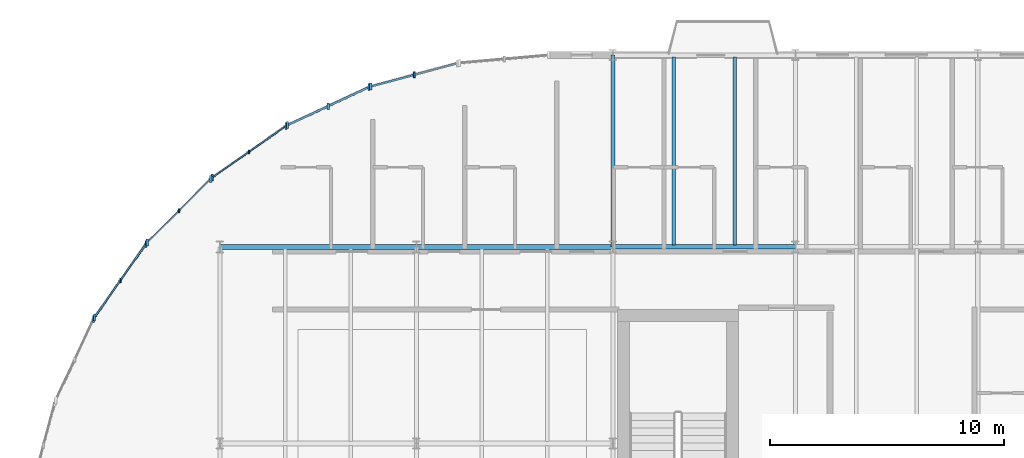
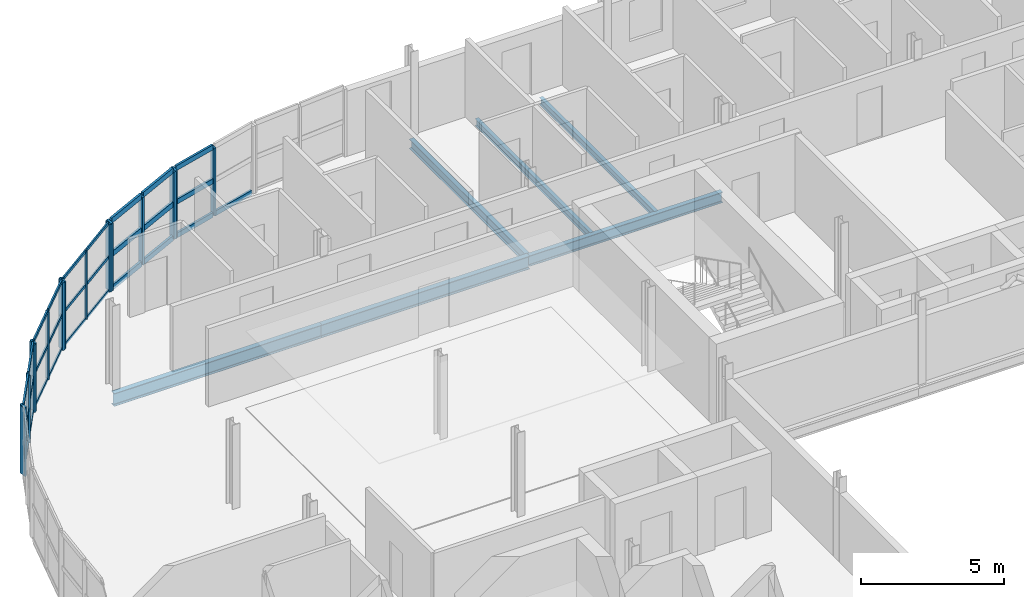
# One storey, part 11 of 36: 43 members, 6 beams, 6 elements without a shape of their own.
"""IFC4 building model written with IfcOpenShell, lengths in metres."""

import ifcopenshell
import ifcopenshell.guid

model = None  # the IFC model being written
_history = None  # IfcOwnerHistory: only IFC2X3 demands one
_inside = {}  # id of a spatial element -> (the spatial element, [elements in it])
_under = {}  # id of a project, library or spatial element -> (it, [spatial elements below it])
_declared = {}  # id of a project -> (the project, [libraries it declares])
_typed = {}  # id of a type object -> (the type object, [elements of that type])
_made_of = {}  # id of a material, layer set ... -> (it, [elements and type objects made of it])


def new_model(schema):
    """Start an empty IFC model of exactly this schema.

    Asked for "IFC4X3", IfcOpenShell would pick the latest addendum, in which some entities
    have other attributes; the version numbers below select the first issue.
    IFC2X3 requires an IfcOwnerHistory on every rooted entity: one is made here for all.
    """
    global model, _history
    if schema == "IFC4X3":
        model = ifcopenshell.file(schema_version=(4, 3, 0, 0))
    else:
        model = ifcopenshell.file(schema=schema)
    _inside.clear()
    _under.clear()
    _declared.clear()
    _typed.clear()
    _made_of.clear()
    _history = None
    if model.schema == "IFC2X3":
        org = make("IfcOrganization", Name="unknown")
        user = make(
            "IfcPersonAndOrganization",
            ThePerson=make("IfcPerson", FamilyName="unknown"),
            TheOrganization=org,
        )
        app = make(
            "IfcApplication",
            ApplicationDeveloper=org,
            Version="unknown",
            ApplicationFullName="unknown",
            ApplicationIdentifier="unknown",
        )
        _history = make(
            "IfcOwnerHistory",
            OwningUser=user,
            OwningApplication=app,
            ChangeAction="ADDED",
            CreationDate=0,
        )
    return model


def make(cls, **values):
    """One entity of the class cls with the attributes given. An attribute that is None is left unset."""
    return model.create_entity(
        cls, **{name: value for name, value in values.items() if value is not None}
    )


def rooted(cls, **values):
    """An entity with a GlobalId (a new one), such as an element, a storey or a relation."""
    return make(cls, GlobalId=ifcopenshell.guid.new(), OwnerHistory=_history, **values)


def si_unit(unit_type, name, prefix=None):
    """IfcSIUnit, for example si_unit("LENGTHUNIT", "METRE", prefix="MILLI")."""
    return make("IfcSIUnit", UnitType=unit_type, Prefix=prefix, Name=name)


def assignment(units):
    """IfcUnitAssignment: the units of a project."""
    return None if units is None else make("IfcUnitAssignment", Units=units)


def point(xyz):
    """IfcCartesianPoint."""
    return None if xyz is None else make("IfcCartesianPoint", Coordinates=xyz)


def direction(xyz):
    """IfcDirection."""
    return None if xyz is None else make("IfcDirection", DirectionRatios=xyz)


def frame(location, z_axis=None, x_axis=None):
    """IfcAxis2Placement3D, a coordinate frame: its origin and axes. An axis left out is left unset."""
    return make(
        "IfcAxis2Placement3D",
        Location=point(location),
        Axis=direction(z_axis),
        RefDirection=direction(x_axis),
    )


def frame_2d(location, x_axis=None):
    """IfcAxis2Placement2D, a coordinate frame in the plane: its origin and x axis."""
    return make(
        "IfcAxis2Placement2D", Location=point(location), RefDirection=direction(x_axis)
    )


def origin():
    """The frame at (0, 0, 0) with its axes left unset."""
    return frame((0.0, 0.0, 0.0))


def origin_2d():
    """The frame at (0, 0) in the plane with its x axis left unset."""
    return frame_2d((0.0, 0.0))


def place(relative_to, where):
    """IfcLocalPlacement: puts the frame where relative to a parent placement (None: the world)."""
    return make(
        "IfcLocalPlacement", PlacementRelTo=relative_to, RelativePlacement=where
    )


def context(
    kind, dimensions, precision=None, world=None, true_north=None, identifier=None
):
    """IfcGeometricRepresentationContext, for example the 3D "Model" context."""
    return make(
        "IfcGeometricRepresentationContext",
        ContextIdentifier=identifier,
        ContextType=kind,
        CoordinateSpaceDimension=dimensions,
        Precision=precision,
        WorldCoordinateSystem=world,
        TrueNorth=true_north,
    )


def subcontext(parent, identifier, kind, view, scale=None):
    """IfcGeometricRepresentationSubContext, for example "Body" below "Model"."""
    return make(
        "IfcGeometricRepresentationSubContext",
        ContextIdentifier=identifier,
        ContextType=kind,
        ParentContext=parent,
        TargetScale=scale,
        TargetView=view,
    )


def project(units=None, contexts=None):
    """IfcProject with its units and contexts."""
    return rooted(
        "IfcProject",
        Name="project",
        RepresentationContexts=contexts,
        UnitsInContext=assignment(units),
    )


def spatial(cls, under=None, at=None, **own):
    """A site, building, storey or space (cls), placed at a placement, below another one or the project."""
    s = rooted(cls, ObjectPlacement=at, **own)
    if under is not None:
        _under.setdefault(under.id(), (under, []))[1].append(s)
    return s


def profile(cls, at=None, kind="AREA", **sizes):
    """A parametric profile (cls). Its sizes go by their IFC names, for example OverallWidth=200.0."""
    return make(cls, ProfileType=kind, Position=at, **sizes)


def rectangle(**sizes):
    """IfcRectangleProfileDef."""
    return profile("IfcRectangleProfileDef", **sizes)


def i_section(**sizes):
    """IfcIShapeProfileDef."""
    return profile("IfcIShapeProfileDef", **sizes)


def extrude(swept, where, along, depth):
    """IfcExtrudedAreaSolid: the profile swept, set in the frame where, extruded along a direction by depth."""
    return make(
        "IfcExtrudedAreaSolid",
        SweptArea=swept,
        Position=where,
        ExtrudedDirection=direction(along),
        Depth=depth,
    )


def shape(context_of_items, identifier, shape_type, items):
    """IfcShapeRepresentation: the items that make up one representation, for example the "Body"."""
    return make(
        "IfcShapeRepresentation",
        ContextOfItems=context_of_items,
        RepresentationIdentifier=identifier,
        RepresentationType=shape_type,
        Items=items,
    )


def material(Name=None, Category=None):
    """IfcMaterial."""
    return make("IfcMaterial", Name=Name, Category=Category)


def layer(
    of_material, thickness, ventilated=None, Name=None, Category=None, Priority=None
):
    """IfcMaterialLayer: one layer of a wall or slab, of a material (None: an air gap)."""
    return make(
        "IfcMaterialLayer",
        Material=of_material,
        LayerThickness=thickness,
        IsVentilated=ventilated,
        Name=Name,
        Category=Category,
        Priority=Priority,
    )


def layer_set(layers, Name=None):
    """IfcMaterialLayerSet."""
    return make("IfcMaterialLayerSet", MaterialLayers=layers, LayerSetName=Name)


def material_profile(
    of_material, cross_section, Name=None, Category=None, Priority=None
):
    """IfcMaterialProfile: a cross section and its material."""
    return make(
        "IfcMaterialProfile",
        Name=Name,
        Material=of_material,
        Profile=cross_section,
        Priority=Priority,
        Category=Category,
    )


def profile_set(profiles, Name=None, composite=None):
    """IfcMaterialProfileSet."""
    return make(
        "IfcMaterialProfileSet",
        Name=Name,
        MaterialProfiles=profiles,
        CompositeProfile=composite,
    )


def made_of(thing, what):
    """Note that an element or type object is made of a material, layer set ...; save() writes the relation."""
    if what is not None:
        _made_of.setdefault(what.id(), (what, []))[1].append(thing)
    return thing


def type_object(cls, material=None, **own):
    """A type object (cls), such as IfcWallType, which elements share."""
    return made_of(rooted(cls, **own), material)


def element(
    cls,
    number,
    at=None,
    inside=None,
    cuts=None,
    type_object=None,
    material=None,
    context=None,
    identifier="Body",
    shape_type=None,
    held_by="IfcProductDefinitionShape",
    body=None,
    shapes=None,
    **own,
):
    """One element of the class cls, such as IfcWall. Its Tag is "e" and its number.

    at: its placement. inside: the storey or other place that contains it. cuts: it is an
    opening in that element (IfcRelVoidsElement). A single representation is given by context,
    identifier, shape_type and body (its items); several are given by shapes. held_by: the class
    of the entity that holds the representations. save() writes the other relations.
    """
    e = rooted(cls, Tag="e%d" % number, ObjectPlacement=at, **own)
    if body is not None:
        shapes = [shape(context, identifier, shape_type, body)]
    if shapes is not None:
        e.Representation = make(held_by, Representations=shapes)
    if inside is not None:
        _inside.setdefault(inside.id(), (inside, []))[1].append(e)
    if cuts is not None:
        rooted(
            "IfcRelVoidsElement", RelatingBuildingElement=cuts, RelatedOpeningElement=e
        )
    if type_object is not None:
        _typed.setdefault(type_object.id(), (type_object, []))[1].append(e)
    return made_of(e, material)


def aggregate(whole, parts):
    """IfcRelAggregates: a whole, such as a stair, and the parts it consists of."""
    return rooted("IfcRelAggregates", RelatingObject=whole, RelatedObjects=parts)


def save(model, path):
    """Write the relations noted so far, then the file.

    IfcRelAggregates (storeys below a building ...), IfcRelContainedInSpatialStructure (elements
    in a storey), IfcRelDefinesByType, IfcRelAssociatesMaterial and IfcRelDeclares: one each for
    every whole, place, type object, material and project.
    """
    for whole, parts in _under.values():
        aggregate(whole, parts)
    for where, things in _inside.values():
        rooted(
            "IfcRelContainedInSpatialStructure",
            RelatedElements=things,
            RelatingStructure=where,
        )
    for kind, things in _typed.values():
        rooted("IfcRelDefinesByType", RelatedObjects=things, RelatingType=kind)
    for what, things in _made_of.values():
        rooted("IfcRelAssociatesMaterial", RelatedObjects=things, RelatingMaterial=what)
    for by, libraries in _declared.values():
        rooted("IfcRelDeclares", RelatingContext=by, RelatedDefinitions=libraries)
    model.write(path)


model = new_model("IFC4")

# Units and contexts
model_context = context("Model", 3, precision=1e-05, world=origin(), true_north=direction((0.0, 1.0)))
body_context = subcontext(model_context, "Body", "Model", "MODEL_VIEW")
ifc_project = project(units=[si_unit("LENGTHUNIT", "METRE"), si_unit("AREAUNIT", "SQUARE_METRE"), si_unit("VOLUMEUNIT", "CUBIC_METRE"), si_unit("PLANEANGLEUNIT", "RADIAN"), si_unit("MASSUNIT", "GRAM", prefix="KILO")], contexts=[model_context])

# Site, building, storey
site_placement = place(None, origin())
site = spatial("IfcSite", under=ifc_project, at=site_placement, CompositionType="ELEMENT")
building_placement = place(site_placement, origin())
building = spatial("IfcBuilding", under=site, at=building_placement, Name="Sefraquen Railside Congress Hotel", CompositionType="ELEMENT")
storey_placement = place(building_placement, frame((0.0, 0.0, 24.60009765625)))
storey = spatial("IfcBuildingStorey", under=building, at=storey_placement, Name="L05", CompositionType="ELEMENT", Elevation=24.60009765625)

# Beams
ifc_material_1 = material(Name="Steel S355JR", Category="steel")
ifc_material_profile_1 = material_profile(ifc_material_1, i_section(OverallWidth=0.179931640625, OverallDepth=0.39990234375, WebThickness=0.008544921875, FlangeThickness=0.013427734375, FilletRadius=0.02099609375, at=origin_2d()), Name="IPE 400")
ifc_profile_set_1 = profile_set([ifc_material_profile_1], Name="Steel S355JR")
beam_type_1 = type_object("IfcBeamType", Name="TB-BM-400I", PredefinedType="BEAM", material=ifc_profile_set_1)
beam_1_placement = place(storey_placement, frame((25.199951171875, 109.800048828125, -0.460205078125), z_axis=(0.0, 1.0, 0.0), x_axis=(-1.0, 0.0, 0.0)))
element("IfcBeam", 1, at=beam_1_placement, inside=storey, type_object=beam_type_1, Name="Floor beam BM-L05-1525", PredefinedType="BEAM", context=body_context, shape_type="SweptSolid", body=[
    extrude(i_section(OverallWidth=0.179931640625, OverallDepth=0.39990234375, WebThickness=0.008544921875, FlangeThickness=0.013427734375, FilletRadius=0.02099609375, at=origin_2d()), origin(), (0.0, 0.0, 1.0), 8.199951171875),
])
ifc_material_profile_2 = material_profile(ifc_material_1, i_section(OverallWidth=0.18994140625, OverallDepth=0.449951171875, WebThickness=0.009521484375, FlangeThickness=0.0146484375, FilletRadius=0.02099609375, at=origin_2d()), Name="IPE 450")
ifc_profile_set_2 = profile_set([ifc_material_profile_2], Name="Steel S355JR")
beam_type_2 = type_object("IfcBeamType", Name="TB-BM-450", PredefinedType="BEAM", material=ifc_profile_set_2)
beam_2_placement = place(storey_placement, frame((25.199951171875, 109.800048828125, -0.485107421875), z_axis=(1.0, 0.0, 0.0), x_axis=(0.0, 1.0, 0.0)))
element("IfcBeam", 2, at=beam_2_placement, inside=storey, type_object=beam_type_2, Name="Primary girder BM-L05-1480", PredefinedType="BEAM", context=body_context, shape_type="SweptSolid", body=[
    extrude(i_section(OverallWidth=0.18994140625, OverallDepth=0.449951171875, WebThickness=0.009521484375, FlangeThickness=0.0146484375, FilletRadius=0.02099609375, at=origin_2d()), origin(), (0.0, 0.0, 1.0), 7.800048828125),
])
ifc_material_profile_3 = material_profile(ifc_material_1, i_section(OverallWidth=0.2099609375, OverallDepth=0.550048828125, WebThickness=0.010986328125, FlangeThickness=0.01708984375, FilletRadius=0.02392578125, at=origin_2d()), Name="IPE 550")
ifc_profile_set_3 = profile_set([ifc_material_profile_3], Name="Steel S355JR")
beam_type_3 = type_object("IfcBeamType", Name="TB-GIR-550", PredefinedType="T_BEAM", material=ifc_profile_set_3)
beam_3_placement = place(storey_placement, frame((8.39990234375, 109.800048828125, -0.53515625), z_axis=(1.0, 0.0, 0.0), x_axis=(0.0, 1.0, 0.0)))
element("IfcBeam", 3, at=beam_3_placement, inside=storey, type_object=beam_type_3, Name="Primary girder BM-L05-1478", PredefinedType="T_BEAM", context=body_context, shape_type="SweptSolid", body=[
    extrude(i_section(OverallWidth=0.2099609375, OverallDepth=0.550048828125, WebThickness=0.010986328125, FlangeThickness=0.01708984375, FilletRadius=0.02392578125, at=origin_2d()), origin(), (0.0, 0.0, 1.0), 8.400146484375),
])
beam_4_placement = place(storey_placement, frame((16.800048828125, 109.800048828125, -0.53515625), z_axis=(1.0, 0.0, 0.0), x_axis=(0.0, 1.0, 0.0)))
element("IfcBeam", 4, at=beam_4_placement, inside=storey, type_object=beam_type_3, Name="Primary girder BM-L05-1479", PredefinedType="T_BEAM", context=body_context, shape_type="SweptSolid", body=[
    extrude(i_section(OverallWidth=0.2099609375, OverallDepth=0.550048828125, WebThickness=0.010986328125, FlangeThickness=0.01708984375, FilletRadius=0.02392578125, at=origin_2d()), origin(), (0.0, 0.0, 1.0), 8.39990234375),
])
ifc_material_profile_4 = material_profile(ifc_material_1, i_section(OverallWidth=0.14990234375, OverallDepth=0.300048828125, WebThickness=0.007080078125, FlangeThickness=0.0107421875, FilletRadius=0.014892578125, at=origin_2d()), Name="IPE 300")
ifc_profile_set_4 = profile_set([ifc_material_profile_4], Name="Steel S355JR")
beam_type_4 = type_object("IfcBeamType", Name="TB-JST-300", PredefinedType="JOIST", material=ifc_profile_set_4)
for number, where, z_axis, x_axis, name in (
    (5, (27.800048828125, 109.875, -0.41015625), (0.0, 1.0, 0.0), (-1.0, 0.0, 0.0), "Composite floor joist BM-L05-J0964"),
    (6, (30.39990234375, 109.875, -0.41015625), (0.0, 1.0, 0.0), (-1.0, 0.0, 0.0), "Composite floor joist BM-L05-J0965"),
):
    element("IfcBeam", number, at=place(storey_placement, frame(where, z_axis=z_axis, x_axis=x_axis)), inside=storey, type_object=beam_type_4, Name=name, PredefinedType="JOIST", context=body_context, shape_type="SweptSolid", body=[
        extrude(i_section(OverallWidth=0.14990234375, OverallDepth=0.300048828125, WebThickness=0.007080078125, FlangeThickness=0.0107421875, FilletRadius=0.014892578125, at=origin_2d()), origin(), (0.0, 0.0, 1.0), 8.050048828125),
    ])

# Curtain wall, member
ifc_material_2 = material(Name="Thermally broken anodised aluminium and low-E double glazing", Category="aluminium")
ifc_layer_1 = layer(ifc_material_2, 0.199951171875)
ifc_layer_set_1 = layer_set([ifc_layer_1], Name="Thermally broken anodised aluminium and low-E double glazing")
curtain_wall_type_1 = type_object("IfcCurtainWallType", Name="TCW-UCW-17", PredefinedType="USERDEFINED", material=ifc_layer_set_1)
curtain_wall_1_placement = place(storey_placement, origin())
curtain_wall_1 = element("IfcCurtainWall", 7, at=curtain_wall_1_placement, inside=storey, type_object=curtain_wall_type_1, Name="Rotunda L05 curved curtain wall facet 4", ObjectType="UNITISED CURTAIN WALL", PredefinedType="USERDEFINED")
ifc_material_3 = material(Name="Thermally broken anodised aluminium 6063-T6", Category="aluminium")
ifc_material_profile_5 = material_profile(ifc_material_3, rectangle(XDim=0.06005859375, YDim=0.159912109375, at=origin_2d()), Name="CWM 60x160")
ifc_profile_set_5 = profile_set([ifc_material_profile_5], Name="Thermally broken anodised aluminium 6063-T6")
member_type_1 = type_object("IfcMemberType", Name="TM-CWM-01", PredefinedType="MULLION", material=ifc_profile_set_5)
member_1_placement = place(storey_placement, frame((9.643798828125, 113.86083984375, 0.0), z_axis=(0.0, 0.0, 1.0), x_axis=(1.0, 0.0, 0.0)))
member_1 = element("IfcMember", 8, at=member_1_placement, type_object=member_type_1, Name="CW-L05-ROT-04 mullion 2", PredefinedType="MULLION", context=body_context, shape_type="SweptSolid", body=[
    extrude(rectangle(XDim=0.06005859375, YDim=0.159912109375, at=origin_2d()), origin(), (0.0, 0.0, 1.0), 2.889892578125),
])

ifc_layer_2 = layer(ifc_material_2, 0.199951171875)
ifc_layer_set_2 = layer_set([ifc_layer_2], Name="Thermally broken anodised aluminium and low-E double glazing")
curtain_wall_type_2 = type_object("IfcCurtainWallType", Name="TCW-UCW-18", PredefinedType="USERDEFINED", material=ifc_layer_set_2)
curtain_wall_2_placement = place(storey_placement, origin())
curtain_wall_2 = element("IfcCurtainWall", 9, at=curtain_wall_2_placement, inside=storey, type_object=curtain_wall_type_2, Name="Rotunda L05 curved curtain wall facet 5", ObjectType="UNITISED CURTAIN WALL", PredefinedType="USERDEFINED")
ifc_material_profile_6 = material_profile(ifc_material_3, rectangle(XDim=0.06494140625, YDim=0.179931640625, at=origin_2d()), Name="CWM 65x180")
ifc_profile_set_6 = profile_set([ifc_material_profile_6], Name="Thermally broken anodised aluminium 6063-T6")
member_type_2 = type_object("IfcMemberType", Name="TM-CWM-02", PredefinedType="MULLION", material=ifc_profile_set_6)
member_2_placement = place(storey_placement, frame((6.650634765625, 111.349365234375, 0.0), z_axis=(0.0, 0.0, 1.0), x_axis=(1.0, 0.0, 0.0)))
member_2 = element("IfcMember", 10, at=member_2_placement, type_object=member_type_2, Name="CW-L05-ROT-05 mullion 2", PredefinedType="MULLION", context=body_context, shape_type="SweptSolid", body=[
    extrude(rectangle(XDim=0.06494140625, YDim=0.179931640625, at=origin_2d()), origin(), (0.0, 0.0, 1.0), 2.889892578125),
])

ifc_layer_3 = layer(ifc_material_2, 0.199951171875)
ifc_layer_set_3 = layer_set([ifc_layer_3], Name="Thermally broken anodised aluminium and low-E double glazing")
curtain_wall_type_3 = type_object("IfcCurtainWallType", Name="TCW-UCW-19", PredefinedType="USERDEFINED", material=ifc_layer_set_3)
curtain_wall_3_placement = place(storey_placement, origin())
curtain_wall_3 = element("IfcCurtainWall", 11, at=curtain_wall_3_placement, inside=storey, type_object=curtain_wall_type_3, Name="Rotunda L05 curved curtain wall facet 6", ObjectType="UNITISED CURTAIN WALL", PredefinedType="USERDEFINED")
ifc_material_profile_7 = material_profile(ifc_material_3, rectangle(XDim=0.070068359375, YDim=0.199951171875, at=origin_2d()), Name="CWM 70x200")
ifc_profile_set_7 = profile_set([ifc_material_profile_7], Name="Thermally broken anodised aluminium 6063-T6")
member_type_3 = type_object("IfcMemberType", Name="TM-CWM-03", PredefinedType="MULLION", material=ifc_profile_set_7)
member_3_placement = place(storey_placement, frame((4.13916015625, 108.356201171875, 0.0), z_axis=(0.0, 0.0, 1.0), x_axis=(1.0, 0.0, 0.0)))
member_3 = element("IfcMember", 12, at=member_3_placement, type_object=member_type_3, Name="CW-L05-ROT-06 mullion 2", PredefinedType="MULLION", context=body_context, shape_type="SweptSolid", body=[
    extrude(rectangle(XDim=0.070068359375, YDim=0.199951171875, at=origin_2d()), origin(), (0.0, 0.0, 1.0), 2.889892578125),
])

ifc_layer_4 = layer(ifc_material_2, 0.199951171875)
ifc_layer_set_4 = layer_set([ifc_layer_4], Name="Thermally broken anodised aluminium and low-E double glazing")
curtain_wall_type_4 = type_object("IfcCurtainWallType", Name="TCW-UCW-15", PredefinedType="USERDEFINED", material=ifc_layer_set_4)
curtain_wall_4_placement = place(storey_placement, origin())
curtain_wall_4 = element("IfcCurtainWall", 13, at=curtain_wall_4_placement, inside=storey, type_object=curtain_wall_type_4, Name="Rotunda L05 curved curtain wall facet 2", ObjectType="UNITISED CURTAIN WALL", PredefinedType="USERDEFINED")
ifc_material_profile_8 = material_profile(ifc_material_3, rectangle(XDim=0.0849609375, YDim=0.260009765625, at=origin_2d()), Name="CWM 85x260")
ifc_profile_set_8 = profile_set([ifc_material_profile_8], Name="Thermally broken anodised aluminium 6063-T6")
member_type_4 = type_object("IfcMemberType", Name="TM-CWM-06", PredefinedType="MULLION", material=ifc_profile_set_8)
member_4_placement = place(storey_placement, frame((16.69873046875, 117.150634765625, 0.0), z_axis=(0.0, 0.0, 1.0), x_axis=(1.0, 0.0, 0.0)))
member_4 = element("IfcMember", 14, at=member_4_placement, type_object=member_type_4, Name="CW-L05-ROT-02 mullion 2", PredefinedType="MULLION", context=body_context, shape_type="SweptSolid", body=[
    extrude(rectangle(XDim=0.0849609375, YDim=0.260009765625, at=origin_2d()), origin(), (0.0, 0.0, 1.0), 2.889892578125),
])

ifc_layer_5 = layer(ifc_material_2, 0.199951171875)
ifc_layer_set_5 = layer_set([ifc_layer_5], Name="Thermally broken anodised aluminium and low-E double glazing")
curtain_wall_type_5 = type_object("IfcCurtainWallType", Name="TCW-UCW-16", PredefinedType="USERDEFINED", material=ifc_layer_set_5)
curtain_wall_5_placement = place(storey_placement, origin())
curtain_wall_5 = element("IfcCurtainWall", 15, at=curtain_wall_5_placement, inside=storey, type_object=curtain_wall_type_5, Name="Rotunda L05 curved curtain wall facet 3", ObjectType="UNITISED CURTAIN WALL", PredefinedType="USERDEFINED")
ifc_material_profile_9 = material_profile(ifc_material_3, rectangle(XDim=0.090087890625, YDim=0.280029296875, at=origin_2d()), Name="CWM 90x280")
ifc_profile_set_9 = profile_set([ifc_material_profile_9], Name="Thermally broken anodised aluminium 6063-T6")
member_type_5 = type_object("IfcMemberType", Name="TM-CWM-07", PredefinedType="MULLION", material=ifc_profile_set_9)
member_5_placement = place(storey_placement, frame((13.02734375, 115.814208984375, 0.0), z_axis=(0.0, 0.0, 1.0), x_axis=(1.0, 0.0, 0.0)))
member_5 = element("IfcMember", 16, at=member_5_placement, type_object=member_type_5, Name="CW-L05-ROT-03 mullion 2", PredefinedType="MULLION", context=body_context, shape_type="SweptSolid", body=[
    extrude(rectangle(XDim=0.090087890625, YDim=0.280029296875, at=origin_2d()), origin(), (0.0, 0.0, 1.0), 2.889892578125),
])

# Member
ifc_material_profile_10 = material_profile(ifc_material_3, rectangle(XDim=0.094970703125, YDim=0.300048828125, at=origin_2d()), Name="CWM 95x300")
ifc_profile_set_10 = profile_set([ifc_material_profile_10], Name="Thermally broken anodised aluminium 6063-T6")
member_type_6 = type_object("IfcMemberType", Name="TM-CWM-08", PredefinedType="MULLION", material=ifc_profile_set_10)
member_6_placement = place(storey_placement, frame((14.843017578125, 116.653564453125, 0.0), z_axis=(0.0, 0.0, 1.0), x_axis=(1.0, 0.0, 0.0)))
member_6 = element("IfcMember", 17, at=member_6_placement, type_object=member_type_6, Name="CW-L05-ROT-02 mullion 3", PredefinedType="MULLION", context=body_context, shape_type="SweptSolid", body=[
    extrude(rectangle(XDim=0.094970703125, YDim=0.300048828125, at=origin_2d()), origin(), (0.0, 0.0, 1.0), 2.889892578125),
])

member_7_placement = place(storey_placement, frame((14.768310546875, 116.626220703125, 0.0), z_axis=(0.0, 0.0, 1.0), x_axis=(1.0, 0.0, 0.0)))
member_7 = element("IfcMember", 18, at=member_7_placement, type_object=member_type_6, Name="CW-L05-ROT-03 mullion 1", PredefinedType="MULLION", context=body_context, shape_type="SweptSolid", body=[
    extrude(rectangle(XDim=0.094970703125, YDim=0.300048828125, at=origin_2d()), origin(), (0.0, 0.0, 1.0), 2.889892578125),
])

member_8_placement = place(storey_placement, frame((11.286376953125, 115.00244140625, 0.0), z_axis=(0.0, 0.0, 1.0), x_axis=(1.0, 0.0, 0.0)))
member_8 = element("IfcMember", 19, at=member_8_placement, type_object=member_type_6, Name="CW-L05-ROT-03 mullion 3", PredefinedType="MULLION", context=body_context, shape_type="SweptSolid", body=[
    extrude(rectangle(XDim=0.094970703125, YDim=0.300048828125, at=origin_2d()), origin(), (0.0, 0.0, 1.0), 2.889892578125),
])

member_9_placement = place(storey_placement, frame((11.21728515625, 114.962646484375, 0.0), z_axis=(0.0, 0.0, 1.0), x_axis=(1.0, 0.0, 0.0)))
member_9 = element("IfcMember", 20, at=member_9_placement, type_object=member_type_6, Name="CW-L05-ROT-04 mullion 1", PredefinedType="MULLION", context=body_context, shape_type="SweptSolid", body=[
    extrude(rectangle(XDim=0.094970703125, YDim=0.300048828125, at=origin_2d()), origin(), (0.0, 0.0, 1.0), 2.889892578125),
])

member_10_placement = place(storey_placement, frame((8.070068359375, 112.7587890625, 0.0), z_axis=(0.0, 0.0, 1.0), x_axis=(1.0, 0.0, 0.0)))
member_10 = element("IfcMember", 21, at=member_10_placement, type_object=member_type_6, Name="CW-L05-ROT-04 mullion 3", PredefinedType="MULLION", context=body_context, shape_type="SweptSolid", body=[
    extrude(rectangle(XDim=0.094970703125, YDim=0.300048828125, at=origin_2d()), origin(), (0.0, 0.0, 1.0), 2.889892578125),
])

member_11_placement = place(storey_placement, frame((8.009033203125, 112.707763671875, 0.0), z_axis=(0.0, 0.0, 1.0), x_axis=(1.0, 0.0, 0.0)))
member_11 = element("IfcMember", 22, at=member_11_placement, type_object=member_type_6, Name="CW-L05-ROT-05 mullion 1", PredefinedType="MULLION", context=body_context, shape_type="SweptSolid", body=[
    extrude(rectangle(XDim=0.094970703125, YDim=0.300048828125, at=origin_2d()), origin(), (0.0, 0.0, 1.0), 2.889892578125),
])

member_12_placement = place(storey_placement, frame((5.292236328125, 109.990966796875, 0.0), z_axis=(0.0, 0.0, 1.0), x_axis=(1.0, 0.0, 0.0)))
member_12 = element("IfcMember", 23, at=member_12_placement, type_object=member_type_6, Name="CW-L05-ROT-05 mullion 3", PredefinedType="MULLION", context=body_context, shape_type="SweptSolid", body=[
    extrude(rectangle(XDim=0.094970703125, YDim=0.300048828125, at=origin_2d()), origin(), (0.0, 0.0, 1.0), 2.889892578125),
])

member_13_placement = place(storey_placement, frame((5.2412109375, 109.929931640625, 0.0), z_axis=(0.0, 0.0, 1.0), x_axis=(1.0, 0.0, 0.0)))
member_13 = element("IfcMember", 24, at=member_13_placement, type_object=member_type_6, Name="CW-L05-ROT-06 mullion 1", PredefinedType="MULLION", context=body_context, shape_type="SweptSolid", body=[
    extrude(rectangle(XDim=0.094970703125, YDim=0.300048828125, at=origin_2d()), origin(), (0.0, 0.0, 1.0), 2.889892578125),
])

member_14_placement = place(storey_placement, frame((3.037353515625, 106.78271484375, 0.0), z_axis=(0.0, 0.0, 1.0), x_axis=(1.0, 0.0, 0.0)))
member_14 = element("IfcMember", 25, at=member_14_placement, type_object=member_type_6, Name="CW-L05-ROT-06 mullion 3", PredefinedType="MULLION", context=body_context, shape_type="SweptSolid", body=[
    extrude(rectangle(XDim=0.094970703125, YDim=0.300048828125, at=origin_2d()), origin(), (0.0, 0.0, 1.0), 2.889892578125),
])

# Curtain wall, member
ifc_layer_6 = layer(ifc_material_2, 0.199951171875)
ifc_layer_set_6 = layer_set([ifc_layer_6], Name="Thermally broken anodised aluminium and low-E double glazing")
curtain_wall_type_6 = type_object("IfcCurtainWallType", Name="TCW-UCW-20", PredefinedType="USERDEFINED", material=ifc_layer_set_6)
curtain_wall_6_placement = place(storey_placement, origin())
curtain_wall_6 = element("IfcCurtainWall", 26, at=curtain_wall_6_placement, inside=storey, type_object=curtain_wall_type_6, Name="Rotunda L05 curved curtain wall facet 7", ObjectType="UNITISED CURTAIN WALL", PredefinedType="USERDEFINED")
member_15_placement = place(storey_placement, frame((2.99755859375, 106.713623046875, 0.0), z_axis=(0.0, 0.0, 1.0), x_axis=(1.0, 0.0, 0.0)))
member_15 = element("IfcMember", 27, at=member_15_placement, type_object=member_type_6, Name="CW-L05-ROT-07 mullion 1", PredefinedType="MULLION", context=body_context, shape_type="SweptSolid", body=[
    extrude(rectangle(XDim=0.094970703125, YDim=0.300048828125, at=origin_2d()), origin(), (0.0, 0.0, 1.0), 2.889892578125),
])
aggregate(curtain_wall_6, [member_15])

# Member
ifc_material_profile_11 = material_profile(ifc_material_3, rectangle(XDim=0.06005859375, YDim=0.1201171875, at=origin_2d()), Name="CWT 60x120")
ifc_profile_set_11 = profile_set([ifc_material_profile_11], Name="Thermally broken anodised aluminium 6063-T6")
member_type_7 = type_object("IfcMemberType", Name="TM-CWT-01", PredefinedType="USERDEFINED", material=ifc_profile_set_11)
member_16_placement = place(storey_placement, frame((11.180419921875, 114.93701171875, 0.0), z_axis=(-0.819156749665, -0.573569716318, 0.0), x_axis=(0.573569716318, -0.819156749665, 0.0)))
member_16 = element("IfcMember", 28, at=member_16_placement, type_object=member_type_7, Name="CW-L05-ROT-04 transom 1.1", ObjectType="TRANSOM", PredefinedType="USERDEFINED", context=body_context, shape_type="SweptSolid", body=[
    extrude(rectangle(XDim=0.06005859375, YDim=0.1201171875, at=origin_2d()), origin(), (0.0, 0.0, 1.0), 1.8310546875),
])

member_17_placement = place(storey_placement, frame((9.606689453125, 113.8349609375, 0.0), z_axis=(-0.819175533227, -0.573542889209, 0.0), x_axis=(0.573542889209, -0.819175533227, 0.0)))
member_17 = element("IfcMember", 29, at=member_17_placement, type_object=member_type_7, Name="CW-L05-ROT-04 transom 1.2", ObjectType="TRANSOM", PredefinedType="USERDEFINED", context=body_context, shape_type="SweptSolid", body=[
    extrude(rectangle(XDim=0.06005859375, YDim=0.1201171875, at=origin_2d()), origin(), (0.0, 0.0, 1.0), 1.830810546875),
])

member_18_placement = place(storey_placement, frame((11.180419921875, 114.93701171875, 1.44482421875), z_axis=(-0.819156749665, -0.573569716318, 0.0), x_axis=(0.573569716318, -0.819156749665, 0.0)))
member_18 = element("IfcMember", 30, at=member_18_placement, type_object=member_type_7, Name="CW-L05-ROT-04 transom 2.1", ObjectType="TRANSOM", PredefinedType="USERDEFINED", context=body_context, shape_type="SweptSolid", body=[
    extrude(rectangle(XDim=0.06005859375, YDim=0.1201171875, at=origin_2d()), origin(), (0.0, 0.0, 1.0), 1.8310546875),
])

member_19_placement = place(storey_placement, frame((9.606689453125, 113.8349609375, 1.44482421875), z_axis=(-0.819175533227, -0.573542889209, 0.0), x_axis=(0.573542889209, -0.819175533227, 0.0)))
member_19 = element("IfcMember", 31, at=member_19_placement, type_object=member_type_7, Name="CW-L05-ROT-04 transom 2.2", ObjectType="TRANSOM", PredefinedType="USERDEFINED", context=body_context, shape_type="SweptSolid", body=[
    extrude(rectangle(XDim=0.06005859375, YDim=0.1201171875, at=origin_2d()), origin(), (0.0, 0.0, 1.0), 1.830810546875),
])

member_20_placement = place(storey_placement, frame((11.180419921875, 114.93701171875, 2.889892578125), z_axis=(-0.819156749665, -0.573569716318, 0.0), x_axis=(0.573569716318, -0.819156749665, 0.0)))
member_20 = element("IfcMember", 32, at=member_20_placement, type_object=member_type_7, Name="CW-L05-ROT-04 transom 3.1", ObjectType="TRANSOM", PredefinedType="USERDEFINED", context=body_context, shape_type="SweptSolid", body=[
    extrude(rectangle(XDim=0.06005859375, YDim=0.1201171875, at=origin_2d()), origin(), (0.0, 0.0, 1.0), 1.8310546875),
])

member_21_placement = place(storey_placement, frame((9.606689453125, 113.8349609375, 2.889892578125), z_axis=(-0.819175533227, -0.573542889209, 0.0), x_axis=(0.573542889209, -0.819175533227, 0.0)))
member_21 = element("IfcMember", 33, at=member_21_placement, type_object=member_type_7, Name="CW-L05-ROT-04 transom 3.2", ObjectType="TRANSOM", PredefinedType="USERDEFINED", context=body_context, shape_type="SweptSolid", body=[
    extrude(rectangle(XDim=0.06005859375, YDim=0.1201171875, at=origin_2d()), origin(), (0.0, 0.0, 1.0), 1.830810546875),
])

aggregate(curtain_wall_1, [member_9, member_1, member_10, member_16, member_17, member_18, member_19, member_20, member_21])

ifc_material_profile_12 = material_profile(ifc_material_3, rectangle(XDim=0.06494140625, YDim=0.135009765625, at=origin_2d()), Name="CWT 65x135")
ifc_profile_set_12 = profile_set([ifc_material_profile_12], Name="Thermally broken anodised aluminium 6063-T6")
member_type_8 = type_object("IfcMemberType", Name="TM-CWT-02", PredefinedType="USERDEFINED", material=ifc_profile_set_12)
member_22_placement = place(storey_placement, frame((7.977294921875, 112.67578125, 0.0), z_axis=(-0.707106781187, -0.707106781187, 0.0), x_axis=(0.707106781187, -0.707106781187, 0.0)))
member_22 = element("IfcMember", 34, at=member_22_placement, type_object=member_type_8, Name="CW-L05-ROT-05 transom 1.1", ObjectType="TRANSOM", PredefinedType="USERDEFINED", context=body_context, shape_type="SweptSolid", body=[
    extrude(rectangle(XDim=0.06494140625, YDim=0.135009765625, at=origin_2d()), origin(), (0.0, 0.0, 1.0), 1.8310546875),
])

member_23_placement = place(storey_placement, frame((6.618896484375, 111.3173828125, 0.0), z_axis=(-0.707106781187, -0.707106781187, 0.0), x_axis=(0.707106781187, -0.707106781187, 0.0)))
member_23 = element("IfcMember", 35, at=member_23_placement, type_object=member_type_8, Name="CW-L05-ROT-05 transom 1.2", ObjectType="TRANSOM", PredefinedType="USERDEFINED", context=body_context, shape_type="SweptSolid", body=[
    extrude(rectangle(XDim=0.06494140625, YDim=0.135009765625, at=origin_2d()), origin(), (0.0, 0.0, 1.0), 1.8310546875),
])

member_24_placement = place(storey_placement, frame((7.977294921875, 112.67578125, 1.44482421875), z_axis=(-0.707106781187, -0.707106781187, 0.0), x_axis=(0.707106781187, -0.707106781187, 0.0)))
member_24 = element("IfcMember", 36, at=member_24_placement, type_object=member_type_8, Name="CW-L05-ROT-05 transom 2.1", ObjectType="TRANSOM", PredefinedType="USERDEFINED", context=body_context, shape_type="SweptSolid", body=[
    extrude(rectangle(XDim=0.06494140625, YDim=0.135009765625, at=origin_2d()), origin(), (0.0, 0.0, 1.0), 1.8310546875),
])

member_25_placement = place(storey_placement, frame((6.618896484375, 111.3173828125, 1.44482421875), z_axis=(-0.707106781187, -0.707106781187, 0.0), x_axis=(0.707106781187, -0.707106781187, 0.0)))
member_25 = element("IfcMember", 37, at=member_25_placement, type_object=member_type_8, Name="CW-L05-ROT-05 transom 2.2", ObjectType="TRANSOM", PredefinedType="USERDEFINED", context=body_context, shape_type="SweptSolid", body=[
    extrude(rectangle(XDim=0.06494140625, YDim=0.135009765625, at=origin_2d()), origin(), (0.0, 0.0, 1.0), 1.8310546875),
])

member_26_placement = place(storey_placement, frame((7.977294921875, 112.67578125, 2.889892578125), z_axis=(-0.707106781187, -0.707106781187, 0.0), x_axis=(0.707106781187, -0.707106781187, 0.0)))
member_26 = element("IfcMember", 38, at=member_26_placement, type_object=member_type_8, Name="CW-L05-ROT-05 transom 3.1", ObjectType="TRANSOM", PredefinedType="USERDEFINED", context=body_context, shape_type="SweptSolid", body=[
    extrude(rectangle(XDim=0.06494140625, YDim=0.135009765625, at=origin_2d()), origin(), (0.0, 0.0, 1.0), 1.8310546875),
])

member_27_placement = place(storey_placement, frame((6.618896484375, 111.3173828125, 2.889892578125), z_axis=(-0.707106781187, -0.707106781187, 0.0), x_axis=(0.707106781187, -0.707106781187, 0.0)))
member_27 = element("IfcMember", 39, at=member_27_placement, type_object=member_type_8, Name="CW-L05-ROT-05 transom 3.2", ObjectType="TRANSOM", PredefinedType="USERDEFINED", context=body_context, shape_type="SweptSolid", body=[
    extrude(rectangle(XDim=0.06494140625, YDim=0.135009765625, at=origin_2d()), origin(), (0.0, 0.0, 1.0), 1.8310546875),
])

aggregate(curtain_wall_2, [member_11, member_2, member_12, member_22, member_23, member_24, member_25, member_26, member_27])

ifc_material_profile_13 = material_profile(ifc_material_3, rectangle(XDim=0.070068359375, YDim=0.14990234375, at=origin_2d()), Name="CWT 70x150")
ifc_profile_set_13 = profile_set([ifc_material_profile_13], Name="Thermally broken anodised aluminium 6063-T6")
member_type_9 = type_object("IfcMemberType", Name="TM-CWT-03", PredefinedType="USERDEFINED", material=ifc_profile_set_13)
member_28_placement = place(storey_placement, frame((5.21533203125, 109.89306640625, 0.0), z_axis=(-0.573632363976, -0.819112880499, 0.0), x_axis=(0.819112880499, -0.573632363976, 0.0)))
member_28 = element("IfcMember", 40, at=member_28_placement, type_object=member_type_9, Name="CW-L05-ROT-06 transom 1.1", ObjectType="TRANSOM", PredefinedType="USERDEFINED", context=body_context, shape_type="SweptSolid", body=[
    extrude(rectangle(XDim=0.070068359375, YDim=0.14990234375, at=origin_2d()), origin(), (0.0, 0.0, 1.0), 1.8310546875),
])

member_29_placement = place(storey_placement, frame((4.11328125, 108.319580078125, 0.0), z_axis=(-0.573480241742, -0.819219392063, 0.0), x_axis=(0.819219392063, -0.573480241742, 0.0)))
member_29 = element("IfcMember", 41, at=member_29_placement, type_object=member_type_9, Name="CW-L05-ROT-06 transom 1.2", ObjectType="TRANSOM", PredefinedType="USERDEFINED", context=body_context, shape_type="SweptSolid", body=[
    extrude(rectangle(XDim=0.070068359375, YDim=0.14990234375, at=origin_2d()), origin(), (0.0, 0.0, 1.0), 1.8310546875),
])

member_30_placement = place(storey_placement, frame((5.21533203125, 109.89306640625, 1.44482421875), z_axis=(-0.573632363976, -0.819112880499, 0.0), x_axis=(0.819112880499, -0.573632363976, 0.0)))
member_30 = element("IfcMember", 42, at=member_30_placement, type_object=member_type_9, Name="CW-L05-ROT-06 transom 2.1", ObjectType="TRANSOM", PredefinedType="USERDEFINED", context=body_context, shape_type="SweptSolid", body=[
    extrude(rectangle(XDim=0.070068359375, YDim=0.14990234375, at=origin_2d()), origin(), (0.0, 0.0, 1.0), 1.8310546875),
])

member_31_placement = place(storey_placement, frame((4.11328125, 108.319580078125, 1.44482421875), z_axis=(-0.573480241742, -0.819219392063, 0.0), x_axis=(0.819219392063, -0.573480241742, 0.0)))
member_31 = element("IfcMember", 43, at=member_31_placement, type_object=member_type_9, Name="CW-L05-ROT-06 transom 2.2", ObjectType="TRANSOM", PredefinedType="USERDEFINED", context=body_context, shape_type="SweptSolid", body=[
    extrude(rectangle(XDim=0.070068359375, YDim=0.14990234375, at=origin_2d()), origin(), (0.0, 0.0, 1.0), 1.8310546875),
])

member_32_placement = place(storey_placement, frame((5.21533203125, 109.89306640625, 2.889892578125), z_axis=(-0.573632363976, -0.819112880499, 0.0), x_axis=(0.819112880499, -0.573632363976, 0.0)))
member_32 = element("IfcMember", 44, at=member_32_placement, type_object=member_type_9, Name="CW-L05-ROT-06 transom 3.1", ObjectType="TRANSOM", PredefinedType="USERDEFINED", context=body_context, shape_type="SweptSolid", body=[
    extrude(rectangle(XDim=0.070068359375, YDim=0.14990234375, at=origin_2d()), origin(), (0.0, 0.0, 1.0), 1.8310546875),
])

member_33_placement = place(storey_placement, frame((4.11328125, 108.319580078125, 2.889892578125), z_axis=(-0.573480241742, -0.819219392063, 0.0), x_axis=(0.819219392063, -0.573480241742, 0.0)))
member_33 = element("IfcMember", 45, at=member_33_placement, type_object=member_type_9, Name="CW-L05-ROT-06 transom 3.2", ObjectType="TRANSOM", PredefinedType="USERDEFINED", context=body_context, shape_type="SweptSolid", body=[
    extrude(rectangle(XDim=0.070068359375, YDim=0.14990234375, at=origin_2d()), origin(), (0.0, 0.0, 1.0), 1.8310546875),
])

aggregate(curtain_wall_3, [member_13, member_3, member_14, member_28, member_29, member_30, member_31, member_32, member_33])

ifc_material_profile_14 = material_profile(ifc_material_3, rectangle(XDim=0.090087890625, YDim=0.2099609375, at=origin_2d()), Name="CWT 90x210")
ifc_profile_set_14 = profile_set([ifc_material_profile_14], Name="Thermally broken anodised aluminium 6063-T6")
member_type_10 = type_object("IfcMemberType", Name="TM-CWT-07", PredefinedType="USERDEFINED", material=ifc_profile_set_14)
member_34_placement = place(storey_placement, frame((18.5107421875, 117.63623046875, 0.0), z_axis=(-0.965893282759, -0.25894046868, 0.0), x_axis=(0.25894046868, -0.965893282759, 0.0)))
member_34 = element("IfcMember", 46, at=member_34_placement, type_object=member_type_10, Name="CW-L05-ROT-02 transom 1.1", ObjectType="TRANSOM", PredefinedType="USERDEFINED", context=body_context, shape_type="SweptSolid", body=[
    extrude(rectangle(XDim=0.090087890625, YDim=0.2099609375, at=origin_2d()), origin(), (0.0, 0.0, 1.0), 1.8310546875),
])

member_35_placement = place(storey_placement, frame((16.6552734375, 117.138916015625, 0.0), z_axis=(-0.965926624666, -0.258816065499, 0.0), x_axis=(0.258816065499, -0.965926624666, 0.0)))
member_35 = element("IfcMember", 47, at=member_35_placement, type_object=member_type_10, Name="CW-L05-ROT-02 transom 1.2", ObjectType="TRANSOM", PredefinedType="USERDEFINED", context=body_context, shape_type="SweptSolid", body=[
    extrude(rectangle(XDim=0.090087890625, YDim=0.2099609375, at=origin_2d()), origin(), (0.0, 0.0, 1.0), 1.8310546875),
])

member_36_placement = place(storey_placement, frame((16.6552734375, 117.138916015625, 1.44482421875), z_axis=(-0.965926624666, -0.258816065499, 0.0), x_axis=(0.258816065499, -0.965926624666, 0.0)))
member_36 = element("IfcMember", 48, at=member_36_placement, type_object=member_type_10, Name="CW-L05-ROT-02 transom 2.2", ObjectType="TRANSOM", PredefinedType="USERDEFINED", context=body_context, shape_type="SweptSolid", body=[
    extrude(rectangle(XDim=0.090087890625, YDim=0.2099609375, at=origin_2d()), origin(), (0.0, 0.0, 1.0), 1.8310546875),
])

member_37_placement = place(storey_placement, frame((16.6552734375, 117.138916015625, 2.889892578125), z_axis=(-0.965926624666, -0.258816065499, 0.0), x_axis=(0.258816065499, -0.965926624666, 0.0)))
member_37 = element("IfcMember", 49, at=member_37_placement, type_object=member_type_10, Name="CW-L05-ROT-02 transom 3.2", ObjectType="TRANSOM", PredefinedType="USERDEFINED", context=body_context, shape_type="SweptSolid", body=[
    extrude(rectangle(XDim=0.090087890625, YDim=0.2099609375, at=origin_2d()), origin(), (0.0, 0.0, 1.0), 1.8310546875),
])

aggregate(curtain_wall_4, [member_4, member_6, member_34, member_35, member_36, member_37])

ifc_material_profile_15 = material_profile(ifc_material_3, rectangle(XDim=0.094970703125, YDim=0.22509765625, at=origin_2d()), Name="CWT 95x225")
ifc_profile_set_15 = profile_set([ifc_material_profile_15], Name="Thermally broken anodised aluminium 6063-T6")
member_type_11 = type_object("IfcMemberType", Name="TM-CWT-08", PredefinedType="USERDEFINED", material=ifc_profile_set_15)
member_38_placement = place(storey_placement, frame((14.727294921875, 116.607177734375, 0.0), z_axis=(-0.906309158253, -0.422615321145, 0.0), x_axis=(0.422615321145, -0.906309158253, 0.0)))
member_38 = element("IfcMember", 50, at=member_38_placement, type_object=member_type_11, Name="CW-L05-ROT-03 transom 1.1", ObjectType="TRANSOM", PredefinedType="USERDEFINED", context=body_context, shape_type="SweptSolid", body=[
    extrude(rectangle(XDim=0.094970703125, YDim=0.22509765625, at=origin_2d()), origin(), (0.0, 0.0, 1.0), 1.830810546875),
])

member_39_placement = place(storey_placement, frame((12.986572265625, 115.79541015625, 0.0), z_axis=(-0.906281900386, -0.422673771403, 0.0), x_axis=(0.422673771403, -0.906281900386, 0.0)))
member_39 = element("IfcMember", 51, at=member_39_placement, type_object=member_type_11, Name="CW-L05-ROT-03 transom 1.2", ObjectType="TRANSOM", PredefinedType="USERDEFINED", context=body_context, shape_type="SweptSolid", body=[
    extrude(rectangle(XDim=0.094970703125, YDim=0.22509765625, at=origin_2d()), origin(), (0.0, 0.0, 1.0), 1.8310546875),
])

member_40_placement = place(storey_placement, frame((14.727294921875, 116.607177734375, 1.44482421875), z_axis=(-0.906309158253, -0.422615321145, 0.0), x_axis=(0.422615321145, -0.906309158253, 0.0)))
member_40 = element("IfcMember", 52, at=member_40_placement, type_object=member_type_11, Name="CW-L05-ROT-03 transom 2.1", ObjectType="TRANSOM", PredefinedType="USERDEFINED", context=body_context, shape_type="SweptSolid", body=[
    extrude(rectangle(XDim=0.094970703125, YDim=0.22509765625, at=origin_2d()), origin(), (0.0, 0.0, 1.0), 1.830810546875),
])

member_41_placement = place(storey_placement, frame((12.986572265625, 115.79541015625, 1.44482421875), z_axis=(-0.906281900386, -0.422673771403, 0.0), x_axis=(0.422673771403, -0.906281900386, 0.0)))
member_41 = element("IfcMember", 53, at=member_41_placement, type_object=member_type_11, Name="CW-L05-ROT-03 transom 2.2", ObjectType="TRANSOM", PredefinedType="USERDEFINED", context=body_context, shape_type="SweptSolid", body=[
    extrude(rectangle(XDim=0.094970703125, YDim=0.22509765625, at=origin_2d()), origin(), (0.0, 0.0, 1.0), 1.8310546875),
])

member_42_placement = place(storey_placement, frame((14.727294921875, 116.607177734375, 2.889892578125), z_axis=(-0.906309158253, -0.422615321145, 0.0), x_axis=(0.422615321145, -0.906309158253, 0.0)))
member_42 = element("IfcMember", 54, at=member_42_placement, type_object=member_type_11, Name="CW-L05-ROT-03 transom 3.1", ObjectType="TRANSOM", PredefinedType="USERDEFINED", context=body_context, shape_type="SweptSolid", body=[
    extrude(rectangle(XDim=0.094970703125, YDim=0.22509765625, at=origin_2d()), origin(), (0.0, 0.0, 1.0), 1.830810546875),
])

member_43_placement = place(storey_placement, frame((12.986572265625, 115.79541015625, 2.889892578125), z_axis=(-0.906281900386, -0.422673771403, 0.0), x_axis=(0.422673771403, -0.906281900386, 0.0)))
member_43 = element("IfcMember", 55, at=member_43_placement, type_object=member_type_11, Name="CW-L05-ROT-03 transom 3.2", ObjectType="TRANSOM", PredefinedType="USERDEFINED", context=body_context, shape_type="SweptSolid", body=[
    extrude(rectangle(XDim=0.094970703125, YDim=0.22509765625, at=origin_2d()), origin(), (0.0, 0.0, 1.0), 1.8310546875),
])

aggregate(curtain_wall_5, [member_7, member_5, member_8, member_38, member_39, member_40, member_41, member_42, member_43])

save(model, "model.ifc")
